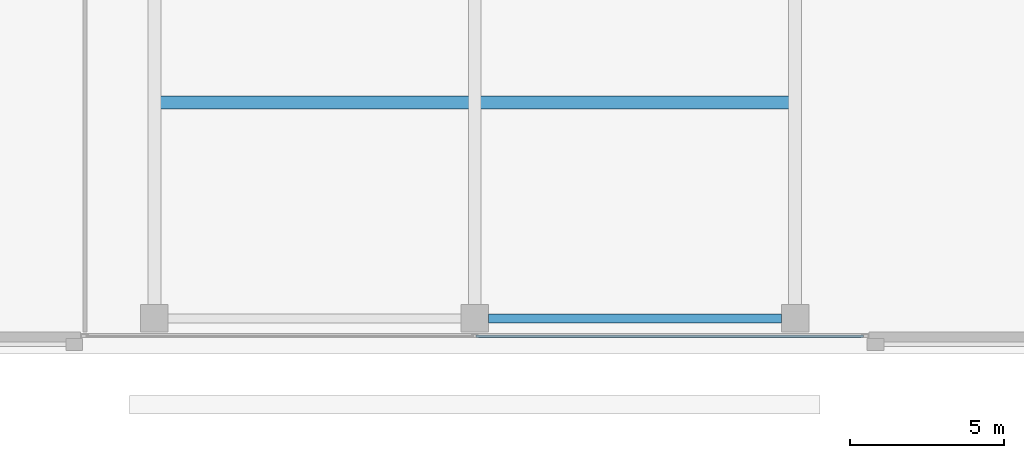
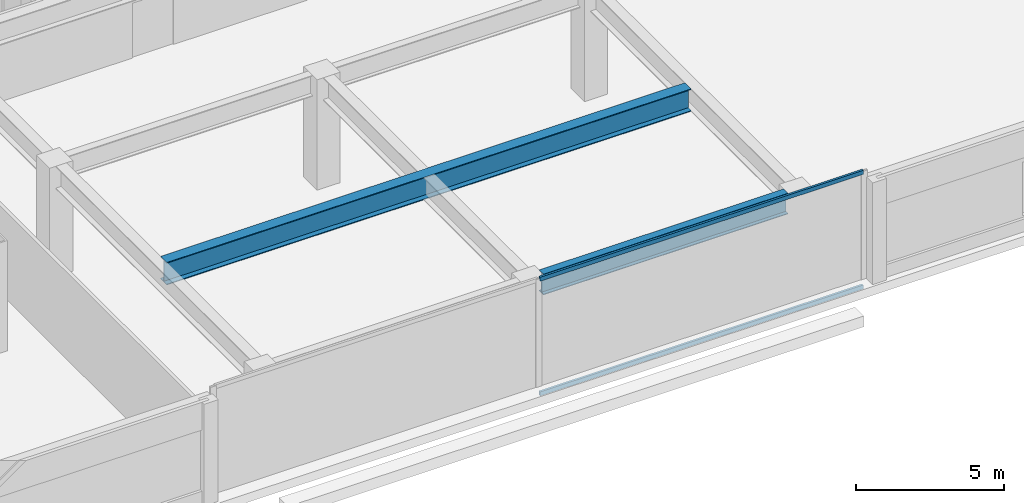
# One storey, part 15 of 44: 2 beams, 2 members, 1 element without a shape of its own.
"""IFC4 building model written with IfcOpenShell, lengths in metres."""

import ifcopenshell
import ifcopenshell.guid

model = None  # the IFC model being written
_history = None  # IfcOwnerHistory: only IFC2X3 demands one
_inside = {}  # id of a spatial element -> (the spatial element, [elements in it])
_under = {}  # id of a project, library or spatial element -> (it, [spatial elements below it])
_declared = {}  # id of a project -> (the project, [libraries it declares])
_typed = {}  # id of a type object -> (the type object, [elements of that type])
_made_of = {}  # id of a material, layer set ... -> (it, [elements and type objects made of it])


def new_model(schema):
    """Start an empty IFC model of exactly this schema.

    Asked for "IFC4X3", IfcOpenShell would pick the latest addendum, in which some entities
    have other attributes; the version numbers below select the first issue.
    IFC2X3 requires an IfcOwnerHistory on every rooted entity: one is made here for all.
    """
    global model, _history
    if schema == "IFC4X3":
        model = ifcopenshell.file(schema_version=(4, 3, 0, 0))
    else:
        model = ifcopenshell.file(schema=schema)
    _inside.clear()
    _under.clear()
    _declared.clear()
    _typed.clear()
    _made_of.clear()
    _history = None
    if model.schema == "IFC2X3":
        org = make("IfcOrganization", Name="unknown")
        user = make(
            "IfcPersonAndOrganization",
            ThePerson=make("IfcPerson", FamilyName="unknown"),
            TheOrganization=org,
        )
        app = make(
            "IfcApplication",
            ApplicationDeveloper=org,
            Version="unknown",
            ApplicationFullName="unknown",
            ApplicationIdentifier="unknown",
        )
        _history = make(
            "IfcOwnerHistory",
            OwningUser=user,
            OwningApplication=app,
            ChangeAction="ADDED",
            CreationDate=0,
        )
    return model


def make(cls, **values):
    """One entity of the class cls with the attributes given. An attribute that is None is left unset."""
    return model.create_entity(
        cls, **{name: value for name, value in values.items() if value is not None}
    )


def rooted(cls, **values):
    """An entity with a GlobalId (a new one), such as an element, a storey or a relation."""
    return make(cls, GlobalId=ifcopenshell.guid.new(), OwnerHistory=_history, **values)


def si_unit(unit_type, name, prefix=None):
    """IfcSIUnit, for example si_unit("LENGTHUNIT", "METRE", prefix="MILLI")."""
    return make("IfcSIUnit", UnitType=unit_type, Prefix=prefix, Name=name)


def assignment(units):
    """IfcUnitAssignment: the units of a project."""
    return None if units is None else make("IfcUnitAssignment", Units=units)


def point(xyz):
    """IfcCartesianPoint."""
    return None if xyz is None else make("IfcCartesianPoint", Coordinates=xyz)


def direction(xyz):
    """IfcDirection."""
    return None if xyz is None else make("IfcDirection", DirectionRatios=xyz)


def frame(location, z_axis=None, x_axis=None):
    """IfcAxis2Placement3D, a coordinate frame: its origin and axes. An axis left out is left unset."""
    return make(
        "IfcAxis2Placement3D",
        Location=point(location),
        Axis=direction(z_axis),
        RefDirection=direction(x_axis),
    )


def frame_2d(location, x_axis=None):
    """IfcAxis2Placement2D, a coordinate frame in the plane: its origin and x axis."""
    return make(
        "IfcAxis2Placement2D", Location=point(location), RefDirection=direction(x_axis)
    )


def origin():
    """The frame at (0, 0, 0) with its axes left unset."""
    return frame((0.0, 0.0, 0.0))


def origin_2d():
    """The frame at (0, 0) in the plane with its x axis left unset."""
    return frame_2d((0.0, 0.0))


def place(relative_to, where):
    """IfcLocalPlacement: puts the frame where relative to a parent placement (None: the world)."""
    return make(
        "IfcLocalPlacement", PlacementRelTo=relative_to, RelativePlacement=where
    )


def context(
    kind, dimensions, precision=None, world=None, true_north=None, identifier=None
):
    """IfcGeometricRepresentationContext, for example the 3D "Model" context."""
    return make(
        "IfcGeometricRepresentationContext",
        ContextIdentifier=identifier,
        ContextType=kind,
        CoordinateSpaceDimension=dimensions,
        Precision=precision,
        WorldCoordinateSystem=world,
        TrueNorth=true_north,
    )


def subcontext(parent, identifier, kind, view, scale=None):
    """IfcGeometricRepresentationSubContext, for example "Body" below "Model"."""
    return make(
        "IfcGeometricRepresentationSubContext",
        ContextIdentifier=identifier,
        ContextType=kind,
        ParentContext=parent,
        TargetScale=scale,
        TargetView=view,
    )


def project(units=None, contexts=None):
    """IfcProject with its units and contexts."""
    return rooted(
        "IfcProject",
        Name="project",
        RepresentationContexts=contexts,
        UnitsInContext=assignment(units),
    )


def spatial(cls, under=None, at=None, **own):
    """A site, building, storey or space (cls), placed at a placement, below another one or the project."""
    s = rooted(cls, ObjectPlacement=at, **own)
    if under is not None:
        _under.setdefault(under.id(), (under, []))[1].append(s)
    return s


def profile(cls, at=None, kind="AREA", **sizes):
    """A parametric profile (cls). Its sizes go by their IFC names, for example OverallWidth=200.0."""
    return make(cls, ProfileType=kind, Position=at, **sizes)


def hollow_rectangle(**sizes):
    """IfcRectangleHollowProfileDef."""
    return profile("IfcRectangleHollowProfileDef", **sizes)


def i_section(**sizes):
    """IfcIShapeProfileDef."""
    return profile("IfcIShapeProfileDef", **sizes)


def extrude(swept, where, along, depth):
    """IfcExtrudedAreaSolid: the profile swept, set in the frame where, extruded along a direction by depth."""
    return make(
        "IfcExtrudedAreaSolid",
        SweptArea=swept,
        Position=where,
        ExtrudedDirection=direction(along),
        Depth=depth,
    )


def shape(context_of_items, identifier, shape_type, items):
    """IfcShapeRepresentation: the items that make up one representation, for example the "Body"."""
    return make(
        "IfcShapeRepresentation",
        ContextOfItems=context_of_items,
        RepresentationIdentifier=identifier,
        RepresentationType=shape_type,
        Items=items,
    )


def material(Name=None, Category=None):
    """IfcMaterial."""
    return make("IfcMaterial", Name=Name, Category=Category)


def material_profile(
    of_material, cross_section, Name=None, Category=None, Priority=None
):
    """IfcMaterialProfile: a cross section and its material."""
    return make(
        "IfcMaterialProfile",
        Name=Name,
        Material=of_material,
        Profile=cross_section,
        Priority=Priority,
        Category=Category,
    )


def profile_set(profiles, Name=None, composite=None):
    """IfcMaterialProfileSet."""
    return make(
        "IfcMaterialProfileSet",
        Name=Name,
        MaterialProfiles=profiles,
        CompositeProfile=composite,
    )


def made_of(thing, what):
    """Note that an element or type object is made of a material, layer set ...; save() writes the relation."""
    if what is not None:
        _made_of.setdefault(what.id(), (what, []))[1].append(thing)
    return thing


def type_object(cls, material=None, **own):
    """A type object (cls), such as IfcWallType, which elements share."""
    return made_of(rooted(cls, **own), material)


def element(
    cls,
    number,
    at=None,
    inside=None,
    cuts=None,
    type_object=None,
    material=None,
    context=None,
    identifier="Body",
    shape_type=None,
    held_by="IfcProductDefinitionShape",
    body=None,
    shapes=None,
    **own,
):
    """One element of the class cls, such as IfcWall. Its Tag is "e" and its number.

    at: its placement. inside: the storey or other place that contains it. cuts: it is an
    opening in that element (IfcRelVoidsElement). A single representation is given by context,
    identifier, shape_type and body (its items); several are given by shapes. held_by: the class
    of the entity that holds the representations. save() writes the other relations.
    """
    e = rooted(cls, Tag="e%d" % number, ObjectPlacement=at, **own)
    if body is not None:
        shapes = [shape(context, identifier, shape_type, body)]
    if shapes is not None:
        e.Representation = make(held_by, Representations=shapes)
    if inside is not None:
        _inside.setdefault(inside.id(), (inside, []))[1].append(e)
    if cuts is not None:
        rooted(
            "IfcRelVoidsElement", RelatingBuildingElement=cuts, RelatedOpeningElement=e
        )
    if type_object is not None:
        _typed.setdefault(type_object.id(), (type_object, []))[1].append(e)
    return made_of(e, material)


def aggregate(whole, parts):
    """IfcRelAggregates: a whole, such as a stair, and the parts it consists of."""
    return rooted("IfcRelAggregates", RelatingObject=whole, RelatedObjects=parts)


def save(model, path):
    """Write the relations noted so far, then the file.

    IfcRelAggregates (storeys below a building ...), IfcRelContainedInSpatialStructure (elements
    in a storey), IfcRelDefinesByType, IfcRelAssociatesMaterial and IfcRelDeclares: one each for
    every whole, place, type object, material and project.
    """
    for whole, parts in _under.values():
        aggregate(whole, parts)
    for where, things in _inside.values():
        rooted(
            "IfcRelContainedInSpatialStructure",
            RelatedElements=things,
            RelatingStructure=where,
        )
    for kind, things in _typed.values():
        rooted("IfcRelDefinesByType", RelatedObjects=things, RelatingType=kind)
    for what, things in _made_of.values():
        rooted("IfcRelAssociatesMaterial", RelatedObjects=things, RelatingMaterial=what)
    for by, libraries in _declared.values():
        rooted("IfcRelDeclares", RelatingContext=by, RelatedDefinitions=libraries)
    model.write(path)


model = new_model("IFC4")

# Units and contexts
model_context = context("Model", 3, precision=1e-05, world=origin(), true_north=direction((0.0, 1.0)))
body_context = subcontext(model_context, "Body", "Model", "MODEL_VIEW")
ifc_project = project(units=[si_unit("LENGTHUNIT", "METRE"), si_unit("AREAUNIT", "SQUARE_METRE"), si_unit("VOLUMEUNIT", "CUBIC_METRE"), si_unit("PLANEANGLEUNIT", "RADIAN"), si_unit("MASSUNIT", "GRAM", prefix="KILO")], contexts=[model_context])

# Site, building, storey
site_placement = place(None, origin())
site = spatial("IfcSite", under=ifc_project, at=site_placement, CompositionType="ELEMENT")
building_placement = place(site_placement, origin())
building = spatial("IfcBuilding", under=site, at=building_placement, Name="Tashvorn Skyway Center", CompositionType="ELEMENT")
storey_placement = place(building_placement, frame((0.0, 0.0, 5.39990234375)))
storey = spatial("IfcBuildingStorey", under=building, at=storey_placement, Name="L01", CompositionType="ELEMENT", Elevation=5.39990234375)

# Beams
ifc_material_1 = material(Name="Steel ASTM A992 Grade 50", Category="steel")
ifc_material_profile_1 = material_profile(ifc_material_1, i_section(OverallWidth=0.2919921875, OverallDepth=0.85888671875, WebThickness=0.01708984375, FlangeThickness=0.031005859375, at=origin_2d()), Name="W33X169")
ifc_profile_set_1 = profile_set([ifc_material_profile_1], Name="Steel ASTM A992 Grade 50")
beam_type_1 = type_object("IfcBeamType", Name="BM-BEAM-W33X169", PredefinedType="BEAM", material=ifc_profile_set_1)
beam_1_placement = place(storey_placement, frame((77.2451171875, 0.800048828125, 4.110595703125), z_axis=(1.0, 0.0, 0.0), x_axis=(0.0, 1.0, 0.0)))
element("IfcBeam", 1, at=beam_1_placement, inside=storey, type_object=beam_type_1, Name="L01 Central Podium Girder B 01", PredefinedType="BEAM", context=body_context, shape_type="SweptSolid", body=[
    extrude(i_section(OverallWidth=0.2919921875, OverallDepth=0.85888671875, WebThickness=0.01708984375, FlangeThickness=0.031005859375, at=origin_2d()), origin(), (0.0, 0.0, 1.0), 9.509765625),
])
ifc_material_2 = material(Name="Steel ASTM A913 Grade 65", Category="steel")
ifc_material_profile_2 = material_profile(ifc_material_2, i_section(OverallWidth=0.4189453125, OverallDepth=0.927001953125, WebThickness=0.019287109375, FlangeThickness=0.031982421875, at=origin_2d()), Name="W36X231")
ifc_profile_set_2 = profile_set([ifc_material_profile_2], Name="Steel ASTM A913 Grade 65")
beam_type_2 = type_object("IfcBeamType", Name="BM-BEAM-W36X231", PredefinedType="BEAM", material=ifc_profile_set_2)
beam_2_placement = place(storey_placement, frame((66.6015625, 7.800048828125, 4.07666015625), z_axis=(1.0, 0.0, 0.0), x_axis=(0.0, 1.0, 0.0)))
element("IfcBeam", 2, at=beam_2_placement, inside=storey, type_object=beam_type_2, Name="L01 Central Concourse Span Girder 02", PredefinedType="BEAM", context=body_context, shape_type="SweptSolid", body=[
    extrude(i_section(OverallWidth=0.4189453125, OverallDepth=0.927001953125, WebThickness=0.019287109375, FlangeThickness=0.031982421875, at=origin_2d()), origin(), (0.0, 0.0, 1.0), 20.39697265625),
])

# Curtain wall, members
ifc_material_3 = material(Name="Thermally broken bronze-anodized aluminium 6063-T6", Category="aluminium")
curtain_wall_type = type_object("IfcCurtainWallType", Name="CW-CW-Z1", PredefinedType="NOTDEFINED", material=ifc_material_3)
curtain_wall_placement = place(storey_placement, origin())
curtain_wall = element("IfcCurtainWall", 3, at=curtain_wall_placement, inside=storey, type_object=curtain_wall_type, Name="L01 South Station Arcade Curtain Wall 2", PredefinedType="NOTDEFINED")
ifc_material_profile_3 = material_profile(ifc_material_3, hollow_rectangle(XDim=0.0849609375, YDim=0.1650390625, WallThickness=0.0048828125, at=origin_2d()), Name="ALU-TRAN-85x165")
ifc_profile_set_3 = profile_set([ifc_material_profile_3], Name="Thermally broken bronze-anodized aluminium 6063-T6")
member_type = type_object("IfcMemberType", Name="CWT-CW-Z1", PredefinedType="USERDEFINED", material=ifc_profile_set_3)
member_1_placement = place(storey_placement, frame((89.4150390625, 0.219970703125, 0.04248046875), z_axis=(-1.0, 0.0, 0.0), x_axis=(0.0, -1.0, 0.0)))
member_1 = element("IfcMember", 4, at=member_1_placement, type_object=member_type, Name="CW-Z1 transom 1.1", ObjectType="TRANSOM", PredefinedType="USERDEFINED", context=body_context, shape_type="SweptSolid", body=[
    extrude(hollow_rectangle(XDim=0.0849609375, YDim=0.1650390625, WallThickness=0.0048828125, at=origin_2d()), origin(), (0.0, 0.0, 1.0), 12.572509765625),
])
member_2_placement = place(storey_placement, frame((89.4150390625, 0.219970703125, 4.757568359375), z_axis=(-1.0, 0.0, 0.0), x_axis=(0.0, -1.0, 0.0)))
member_2 = element("IfcMember", 5, at=member_2_placement, type_object=member_type, Name="CW-Z1 transom 1.2", ObjectType="TRANSOM", PredefinedType="USERDEFINED", context=body_context, shape_type="SweptSolid", body=[
    extrude(hollow_rectangle(XDim=0.0849609375, YDim=0.1650390625, WallThickness=0.0048828125, at=origin_2d()), origin(), (0.0, 0.0, 1.0), 12.572509765625),
])
aggregate(curtain_wall, [member_1, member_2])

save(model, "model.ifc")
